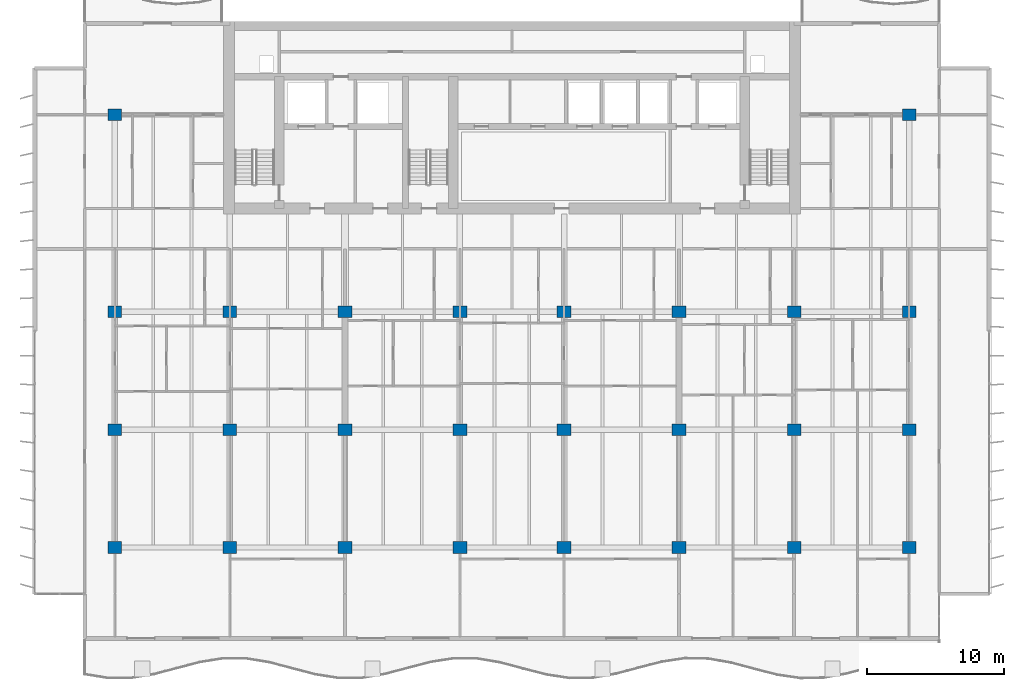
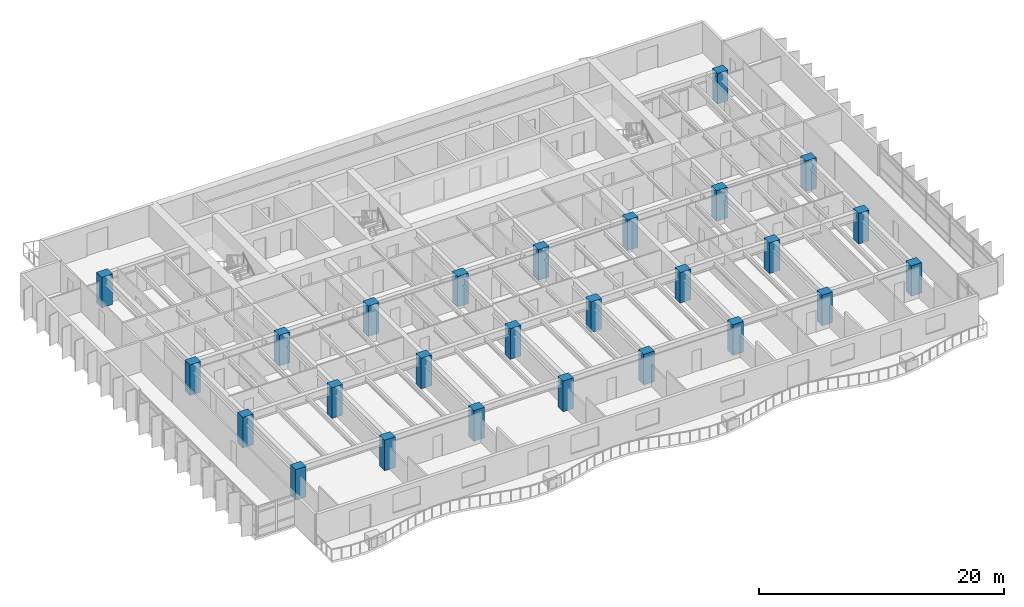
# One storey, part 1 of 15: 26 columns.
"""IFC4 building model written with IfcOpenShell, lengths in metres."""

from ifc_helpers import new_model, si_unit, direction, frame, origin, origin_2d, place, context, subcontext, project, spatial, rectangle, extrude, material, material_profile, profile_set, type_object, element, save


model = new_model("IFC4")

# Units and contexts
model_context = context("Model", 3, precision=1e-05, world=origin(), true_north=direction((0.0, 1.0)))
body_context = subcontext(model_context, "Body", "Model", "MODEL_VIEW")
ifc_project = project(units=[si_unit("LENGTHUNIT", "METRE"), si_unit("AREAUNIT", "SQUARE_METRE"), si_unit("VOLUMEUNIT", "CUBIC_METRE"), si_unit("PLANEANGLEUNIT", "RADIAN"), si_unit("MASSUNIT", "GRAM", prefix="KILO")], contexts=[model_context])

# Site, building, storey
site_placement = place(None, origin())
site = spatial("IfcSite", under=ifc_project, at=site_placement, CompositionType="ELEMENT")
building_placement = place(site_placement, origin())
building = spatial("IfcBuilding", under=site, at=building_placement, Name="Caelmar Bay Residences", CompositionType="ELEMENT")
storey_placement = place(building_placement, frame((0.0, 0.0, 132.300048828125)))
storey = spatial("IfcBuildingStorey", under=building, at=storey_placement, Name="L36", CompositionType="ELEMENT", Elevation=132.300048828125)

# Columns
ifc_material = material(Name="Concrete f'c 70 MPa (10,000 psi)", Category="concrete")
ifc_material_profile = material_profile(ifc_material, rectangle(XDim=1.0, YDim=0.85009765625, at=origin_2d()), Name="RC-COL-1000X850")
ifc_profile_set = profile_set([ifc_material_profile], Name="Concrete f'c 70 MPa (10,000 psi)")
column_type = type_object("IfcColumnType", Name="COL-RC-1000X850", PredefinedType="COLUMN", material=ifc_profile_set)
for number, where, z_axis, x_axis, name in (
    (1, (9.89990234375, 12.199951171875, 0.0), (0.0, 0.0, 1.0), (1.0, 0.0, 0.0), "L36 Column (9.90,12.20)"),
    (2, (18.300048828125, 12.199951171875, 0.0), (0.0, 0.0, 1.0), (1.0, 0.0, 0.0), "L36 Column (18.30,12.20)"),
    (3, (26.699951171875, 12.199951171875, 0.0), (0.0, 0.0, 1.0), (1.0, 0.0, 0.0), "L36 Column (26.70,12.20)"),
    (4, (35.10009765625, 12.199951171875, 0.0), (0.0, 0.0, 1.0), (1.0, 0.0, 0.0), "L36 Column (35.10,12.20)"),
    (5, (42.699951171875, 12.199951171875, 0.0), (0.0, 0.0, 1.0), (1.0, 0.0, 0.0), "L36 Column (42.70,12.20)"),
    (6, (51.10009765625, 12.199951171875, 0.0), (0.0, 0.0, 1.0), (1.0, 0.0, 0.0), "L36 Column (51.10,12.20)"),
    (7, (59.5, 12.199951171875, 0.0), (0.0, 0.0, 1.0), (1.0, 0.0, 0.0), "L36 Column (59.50,12.20)"),
    (8, (67.89990234375, 12.199951171875, 0.0), (0.0, 0.0, 1.0), (1.0, 0.0, 0.0), "L36 Column (67.90,12.20)"),
    (9, (9.89990234375, 20.800048828125, 0.0), (0.0, 0.0, 1.0), (1.0, 0.0, 0.0), "L36 Column (9.90,20.80)"),
    (10, (18.300048828125, 20.800048828125, 0.0), (0.0, 0.0, 1.0), (1.0, 0.0, 0.0), "L36 Column (18.30,20.80)"),
    (11, (26.699951171875, 20.800048828125, 0.0), (0.0, 0.0, 1.0), (1.0, 0.0, 0.0), "L36 Column (26.70,20.80)"),
    (12, (35.10009765625, 20.800048828125, 0.0), (0.0, 0.0, 1.0), (1.0, 0.0, 0.0), "L36 Column (35.10,20.80)"),
    (13, (42.699951171875, 20.800048828125, 0.0), (0.0, 0.0, 1.0), (1.0, 0.0, 0.0), "L36 Column (42.70,20.80)"),
    (14, (51.10009765625, 20.800048828125, 0.0), (0.0, 0.0, 1.0), (1.0, 0.0, 0.0), "L36 Column (51.10,20.80)"),
    (15, (59.5, 20.800048828125, 0.0), (0.0, 0.0, 1.0), (1.0, 0.0, 0.0), "L36 Column (59.50,20.80)"),
    (16, (67.89990234375, 20.800048828125, 0.0), (0.0, 0.0, 1.0), (1.0, 0.0, 0.0), "L36 Column (67.90,20.80)"),
    (17, (9.89990234375, 29.39990234375, 0.0), (0.0, 0.0, 1.0), (1.0, 0.0, 0.0), "L36 Column (9.90,29.40)"),
    (18, (18.300048828125, 29.39990234375, 0.0), (0.0, 0.0, 1.0), (1.0, 0.0, 0.0), "L36 Column (18.30,29.40)"),
    (19, (26.699951171875, 29.39990234375, 0.0), (0.0, 0.0, 1.0), (1.0, 0.0, 0.0), "L36 Column (26.70,29.40)"),
    (20, (35.10009765625, 29.39990234375, 0.0), (0.0, 0.0, 1.0), (1.0, 0.0, 0.0), "L36 Column (35.10,29.40)"),
    (21, (42.699951171875, 29.39990234375, 0.0), (0.0, 0.0, 1.0), (1.0, 0.0, 0.0), "L36 Column (42.70,29.40)"),
    (22, (51.10009765625, 29.39990234375, 0.0), (0.0, 0.0, 1.0), (1.0, 0.0, 0.0), "L36 Column (51.10,29.40)"),
    (23, (59.5, 29.39990234375, 0.0), (0.0, 0.0, 1.0), (1.0, 0.0, 0.0), "L36 Column (59.50,29.40)"),
    (24, (67.89990234375, 29.39990234375, 0.0), (0.0, 0.0, 1.0), (1.0, 0.0, 0.0), "L36 Column (67.90,29.40)"),
    (25, (9.89990234375, 43.800048828125, 0.0), (0.0, 0.0, 1.0), (1.0, 0.0, 0.0), "L36 Column (9.90,43.80)"),
    (26, (67.89990234375, 43.800048828125, 0.0), (0.0, 0.0, 1.0), (1.0, 0.0, 0.0), "L36 Column (67.90,43.80)"),
):
    element("IfcColumn", number, at=place(storey_placement, frame(where, z_axis=z_axis, x_axis=x_axis)), inside=storey, type_object=column_type, Name=name, PredefinedType="COLUMN", context=body_context, shape_type="SweptSolid", body=[
        extrude(rectangle(XDim=1.0, YDim=0.85009765625, at=origin_2d()), origin(), (0.0, 0.0, 1.0), 3.050048828125),
    ])

save(model, "model.ifc")
